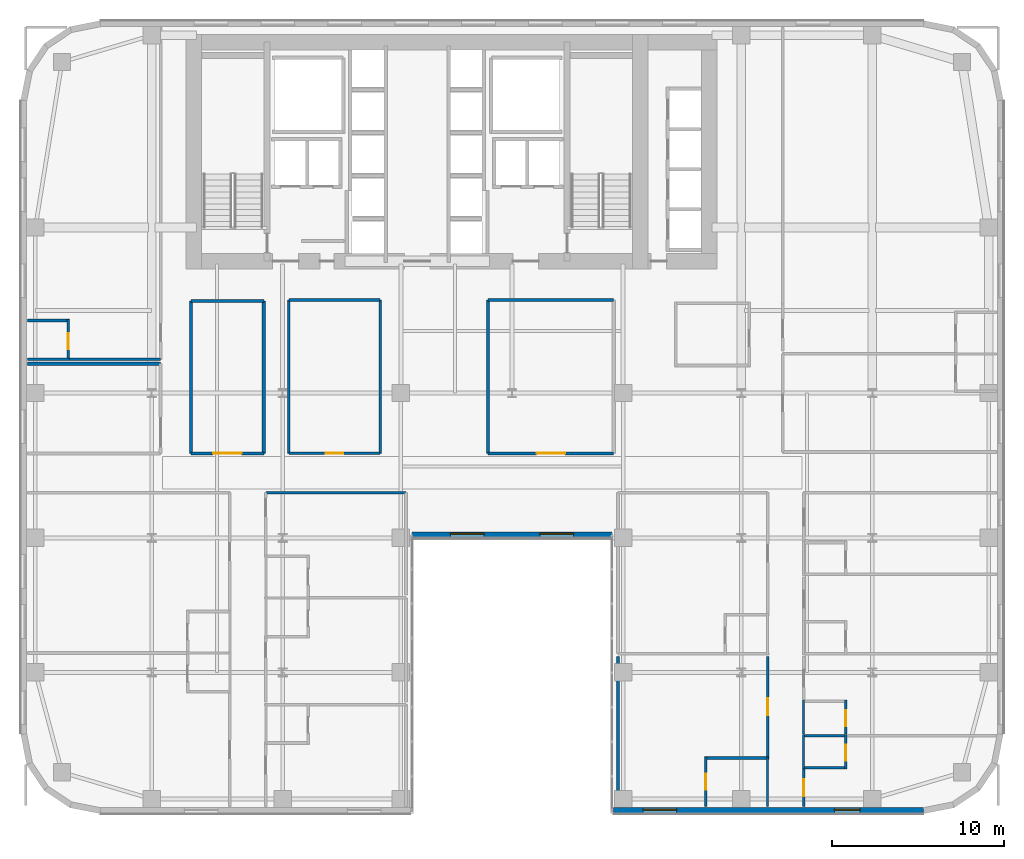
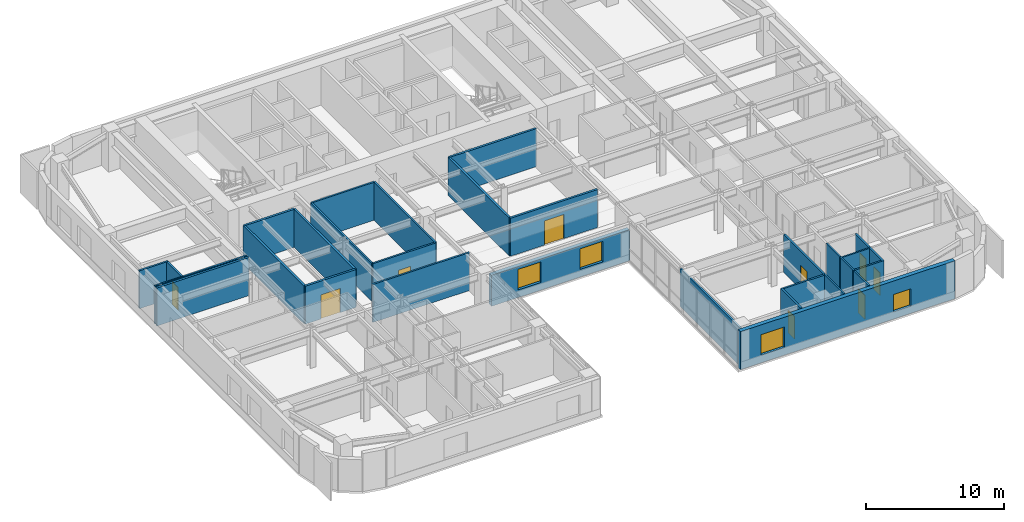
# One storey, part 15 of 24: 31 walls, 9 doors, 4 windows, 13 openings.
"""IFC4 building model written with IfcOpenShell, lengths in metres."""

from ifc_helpers import new_model, si_unit, direction, frame, frame_2d, origin, place, context, subcontext, project, spatial, rectangle, extrude, source, transform, mapped, material, layer, layer_set, type_object, type_shapes, element, fill, save


model = new_model("IFC4")

# Units and contexts
model_context = context("Model", 3, precision=1e-05, world=origin(), true_north=direction((0.0, 1.0)))
body_context = subcontext(model_context, "Body", "Model", "MODEL_VIEW")
ifc_project = project(units=[si_unit("LENGTHUNIT", "METRE"), si_unit("AREAUNIT", "SQUARE_METRE"), si_unit("VOLUMEUNIT", "CUBIC_METRE"), si_unit("PLANEANGLEUNIT", "RADIAN"), si_unit("MASSUNIT", "GRAM", prefix="KILO")], contexts=[model_context])

# Site, building, storey
site_placement = place(None, origin())
site = spatial("IfcSite", under=ifc_project, at=site_placement, CompositionType="ELEMENT")
building_placement = place(site_placement, origin())
building = spatial("IfcBuilding", under=site, at=building_placement, Name="Tolvann Quenvar Hotel", CompositionType="ELEMENT")
storey_placement = place(building_placement, frame((0.0, 0.0, 67.5)))
storey = spatial("IfcBuildingStorey", under=building, at=storey_placement, Name="L16", CompositionType="ELEMENT", Elevation=67.5)

# Wall, openings, windows
ifc_material_1 = material(Name="Kiln-fired red and buff architectural clay brickwork and terracotta masonry", Category="masonry")
ifc_layer_1 = layer(ifc_material_1, 0.35009765625)
ifc_layer_set_1 = layer_set([ifc_layer_1], Name="Kiln-fired red and buff architectural clay brickwork and terracotta masonry")
wall_type_1 = type_object("IfcWallType", Name="WALL_EXT_BRICK_350", PredefinedType="SOLIDWALL", material=ifc_layer_set_1)
wall_1_placement = place(storey_placement, frame((22.7099609375, 16.175048828125, 0.0), z_axis=(0.0, 0.0, 1.0), x_axis=(1.0, 0.0, 0.0)))
wall_1 = element("IfcWall", 1, at=wall_1_placement, inside=storey, type_object=wall_type_1, Name="Exterior Chicago Brick Wall L16-E06", PredefinedType="SOLIDWALL", context=body_context, shape_type="SweptSolid", body=[
    extrude(rectangle(XDim=11.580078125, YDim=0.35009765625, at=frame_2d((5.7900390625, 0.0))), origin(), (0.0, 0.0, 1.0), 2.748046875),
])
opening_1_placement = place(wall_1_placement, frame((2.219970703125, 0.0, 0.679931640625)))
opening_1 = element("IfcOpeningElement", 2, at=opening_1_placement, cuts=wall_1, Name="Opening W-10", PredefinedType="OPENING", context=body_context, shape_type="SweptSolid", body=[
    extrude(rectangle(XDim=1.949951171875, YDim=1.820068359375, at=frame_2d((0.97509765625, 0.91015625))), frame((0.0, 0.18505859375, 0.0), z_axis=(0.0, -1.0, 0.0), x_axis=(1.0, 0.0, 0.0)), (0.0, 0.0, 1.0), 0.3701171875),
])
opening_2_placement = place(wall_1_placement, frame((7.409912109375, 0.0, 0.679931640625)))
opening_2 = element("IfcOpeningElement", 3, at=opening_2_placement, cuts=wall_1, Name="Opening W-10", PredefinedType="OPENING", context=body_context, shape_type="SweptSolid", body=[
    extrude(rectangle(XDim=1.949951171875, YDim=1.820068359375, at=frame_2d((0.97509765625, 0.91015625))), frame((0.0, 0.18505859375, 0.0), z_axis=(0.0, -1.0, 0.0), x_axis=(1.0, 0.0, 0.0)), (0.0, 0.0, 1.0), 0.3701171875),
])
ifc_material_2 = material(Name="Thermally broken bronze-anodised aluminium frame with double low-E glazing", Category="aluminium")
window_type_1 = type_object("IfcWindowType", Name="WIN_CLB_1950x1850", PartitioningType="DOUBLE_PANEL_VERTICAL", PredefinedType="WINDOW", material=ifc_material_2)
shared_shape_1 = source(origin(), body_context, "Body", "SweptSolid", [
    extrude(rectangle(XDim=1.949951171875, YDim=1.820068359375, at=frame_2d((0.97509765625, 0.91015625))), frame((0.0, 0.090087890625, 0.0), z_axis=(0.0, -1.0, 0.0), x_axis=(1.0, 0.0, 0.0)), (0.0, 0.0, 1.0), 0.06005859375),
])
type_shapes(window_type_1, [shared_shape_1])
window_1_placement = place(opening_1_placement, origin())
window_1 = element("IfcWindow", 4, at=window_1_placement, inside=storey, type_object=window_type_1, Name="Chicago Window W-10 (EW-L16-E06-W01)", OverallHeight=1.820068359375, OverallWidth=1.949951171875, PartitioningType="DOUBLE_PANEL_VERTICAL", PredefinedType="WINDOW", context=body_context, shape_type="MappedRepresentation", body=[
    mapped(shared_shape_1, transform((0.0, 0.0, 0.0), x_axis=(1.0, 0.0, 0.0), y_axis=(0.0, 1.0, 0.0), z_axis=(0.0, 0.0, 1.0), scale=1.0)),
])
fill(opening_1, window_1)
window_2_placement = place(opening_2_placement, origin())
window_2 = element("IfcWindow", 5, at=window_2_placement, inside=storey, type_object=window_type_1, Name="Chicago Window W-10 (EW-L16-E06-W02)", OverallHeight=1.820068359375, OverallWidth=1.949951171875, PartitioningType="DOUBLE_PANEL_VERTICAL", PredefinedType="WINDOW", context=body_context, shape_type="MappedRepresentation", body=[
    mapped(shared_shape_1, transform((0.0, 0.0, 0.0), x_axis=(1.0, 0.0, 0.0), y_axis=(0.0, 1.0, 0.0), z_axis=(0.0, 0.0, 1.0), scale=1.0)),
])
fill(opening_2, window_2)

wall_2_placement = place(storey_placement, frame((34.375, 0.175048828125, 0.0), z_axis=(0.0, 0.0, 1.0), x_axis=(1.0, 0.0, 0.0)))
wall_2 = element("IfcWall", 6, at=wall_2_placement, inside=storey, type_object=wall_type_1, Name="Exterior Chicago Brick Wall L16-E08", PredefinedType="SOLIDWALL", context=body_context, shape_type="SweptSolid", body=[
    extrude(rectangle(XDim=18.0078125, YDim=0.35009765625, at=frame_2d((9.00390625, 0.0))), origin(), (0.0, 0.0, 1.0), 3.3701171875),
])
opening_3_placement = place(wall_2_placement, frame((1.72607421875, 0.0, 0.679931640625)))
opening_3 = element("IfcOpeningElement", 7, at=opening_3_placement, cuts=wall_2, Name="Opening W-10", PredefinedType="OPENING", context=body_context, shape_type="SweptSolid", body=[
    extrude(rectangle(XDim=1.949951171875, YDim=1.820068359375, at=frame_2d((0.97509765625, 0.91015625))), frame((0.0, 0.18505859375, 0.0), z_axis=(0.0, -1.0, 0.0), x_axis=(1.0, 0.0, 0.0)), (0.0, 0.0, 1.0), 0.3701171875),
])
opening_4_placement = place(wall_2_placement, frame((12.824951171875, 0.0, 0.6201171875)))
opening_4 = element("IfcOpeningElement", 8, at=opening_4_placement, cuts=wall_2, Name="Opening W-08", PredefinedType="OPENING", context=body_context, shape_type="SweptSolid", body=[
    extrude(rectangle(XDim=1.5, YDim=1.550048828125, at=frame_2d((0.75, 0.77490234375))), frame((0.0, 0.18505859375, 0.0), z_axis=(0.0, -1.0, 0.0), x_axis=(1.0, 0.0, 0.0)), (0.0, 0.0, 1.0), 0.3701171875),
])
window_type_2 = type_object("IfcWindowType", Name="WIN_COR_1500x2050", PartitioningType="SINGLE_PANEL", PredefinedType="WINDOW", material=ifc_material_2)
shared_shape_2 = source(origin(), body_context, "Body", "SweptSolid", [
    extrude(rectangle(XDim=1.5, YDim=1.550048828125, at=frame_2d((0.75, 0.77490234375))), frame((0.0, 0.090087890625, 0.0), z_axis=(0.0, -1.0, 0.0), x_axis=(1.0, 0.0, 0.0)), (0.0, 0.0, 1.0), 0.06005859375),
])
type_shapes(window_type_2, [shared_shape_2])
window_3_placement = place(opening_4_placement, origin())
window_3 = element("IfcWindow", 9, at=window_3_placement, inside=storey, type_object=window_type_2, Name="Chicago Window W-08 (EW-L16-E08-WD02)", OverallHeight=1.550048828125, OverallWidth=1.5, PartitioningType="SINGLE_PANEL", PredefinedType="WINDOW", context=body_context, shape_type="MappedRepresentation", body=[
    mapped(shared_shape_2, transform((0.0, 0.0, 0.0), x_axis=(1.0, 0.0, 0.0), y_axis=(0.0, 1.0, 0.0), z_axis=(0.0, 0.0, 1.0), scale=1.0)),
])
fill(opening_4, window_3)
window_4_placement = place(opening_3_placement, origin())
window_4 = element("IfcWindow", 10, at=window_4_placement, inside=storey, type_object=window_type_1, Name="Chicago Window W-10 (EW-L16-E08-W01)", OverallHeight=1.820068359375, OverallWidth=1.949951171875, PartitioningType="DOUBLE_PANEL_VERTICAL", PredefinedType="WINDOW", context=body_context, shape_type="MappedRepresentation", body=[
    mapped(shared_shape_1, transform((0.0, 0.0, 0.0), x_axis=(1.0, 0.0, 0.0), y_axis=(0.0, 1.0, 0.0), z_axis=(0.0, 0.0, 1.0), scale=1.0)),
])
fill(opening_3, window_4)

# Wall
ifc_material_3 = material(Name="Acoustic twin-stud fire-rated gypsum plasterboard partition")
ifc_layer_2 = layer(ifc_material_3, 0.179931640625)
ifc_layer_set_2 = layer_set([ifc_layer_2], Name="Acoustic twin-stud fire-rated gypsum plasterboard partition")
wall_type_2 = type_object("IfcWallType", Name="WALL_PART_ACOUSTIC_180", PredefinedType="PARTITIONING", material=ifc_layer_set_2)
wall_3_placement = place(storey_placement, frame((0.405029296875, 26.10009765625, 0.0), z_axis=(0.0, 0.0, 1.0), x_axis=(1.0, 0.0, 0.0)))
element("IfcWall", 11, at=wall_3_placement, inside=storey, type_object=wall_type_2, Name="Interior Partition PT-SPC-L16-SAL-N", PredefinedType="PARTITIONING", context=body_context, shape_type="SweptSolid", body=[
    extrude(rectangle(XDim=7.715087890625, YDim=0.179931640625, at=frame_2d((3.857421875, 0.0))), origin(), (0.0, 0.0, 1.0), 3.3701171875),
])

# Wall, opening, door
wall_4_placement = place(storey_placement, frame((9.8798828125, 20.89990234375, 0.0), z_axis=(0.0, 0.0, 1.0), x_axis=(1.0, 0.0, 0.0)))
wall_4 = element("IfcWall", 12, at=wall_4_placement, inside=storey, type_object=wall_type_2, Name="Interior Partition PT-SPC-L16-MSP-W-S", PredefinedType="PARTITIONING", context=body_context, shape_type="SweptSolid", body=[
    extrude(rectangle(XDim=4.22021484375, YDim=0.179931640625, at=frame_2d((2.110107421875, 0.0))), origin(), (0.0, 0.0, 1.0), 3.3701171875),
])
opening_5_placement = place(wall_4_placement, frame((1.284912109375, 0.0, 0.0)))
opening_5 = element("IfcOpeningElement", 13, at=opening_5_placement, cuts=wall_4, Name="Opening AD-01", PredefinedType="OPENING", context=body_context, shape_type="SweptSolid", body=[
    extrude(rectangle(XDim=1.64990234375, YDim=2.14990234375, at=frame_2d((0.824951171875, 1.074951171875))), frame((0.0, 0.10009765625, 0.0), z_axis=(0.0, -1.0, 0.0), x_axis=(1.0, 0.0, 0.0)), (0.0, 0.0, 1.0), 0.199951171875),
])
ifc_material_4 = material(Name="Solid-core American oak acoustic fire door leaf in steel frame", Category="steel")
door_type_1 = type_object("IfcDoorType", Name="DOOR_SALON_1650", OperationType="NOTDEFINED", PredefinedType="DOOR", material=ifc_material_4)
shared_shape_3 = source(origin(), body_context, "Body", "SweptSolid", [
    extrude(rectangle(XDim=1.64990234375, YDim=2.14990234375, at=frame_2d((0.824951171875, 1.074951171875))), frame((0.0, 0.02490234375, 0.0), z_axis=(0.0, -1.0, 0.0), x_axis=(1.0, 0.0, 0.0)), (0.0, 0.0, 1.0), 0.050048828125),
])
type_shapes(door_type_1, [shared_shape_3])
door_1_placement = place(opening_5_placement, origin())
door_1 = element("IfcDoor", 14, at=door_1_placement, inside=storey, type_object=door_type_1, Name="Interior Door DOOR-SPC-L16-MSP-W", OperationType="DOUBLE_DOOR_SINGLE_SWING", OverallHeight=2.14990234375, OverallWidth=1.64990234375, PredefinedType="DOOR", context=body_context, shape_type="MappedRepresentation", body=[
    mapped(shared_shape_3, transform((0.0, 0.0, 0.0), x_axis=(1.0, 0.0, 0.0), y_axis=(0.0, 1.0, 0.0), z_axis=(0.0, 0.0, 1.0), scale=1.0)),
])
fill(opening_5, door_1)

# Walls
wall_5_placement = place(storey_placement, frame((9.8798828125, 29.75, 0.0), z_axis=(0.0, 0.0, 1.0), x_axis=(1.0, 0.0, 0.0)))
element("IfcWall", 15, at=wall_5_placement, inside=storey, type_object=wall_type_2, Name="Interior Partition PT-SPC-L16-MSP-W-N", PredefinedType="PARTITIONING", context=body_context, shape_type="SweptSolid", body=[
    extrude(rectangle(XDim=4.22021484375, YDim=0.179931640625, at=frame_2d((2.110107421875, 0.0))), origin(), (0.0, 0.0, 1.0), 3.3701171875),
])
for number, where, z_axis, x_axis, name in (
    (16, (9.8798828125, 20.89990234375, 0.0), (0.0, 0.0, 1.0), (0.0, 1.0, 0.0), "Interior Partition PT-SPC-L16-MSP-W-W"),
    (17, (14.10009765625, 20.89990234375, 0.0), (0.0, 0.0, 1.0), (0.0, 1.0, 0.0), "Interior Partition PT-SPC-L16-MSP-W-E"),
):
    element("IfcWall", number, at=place(storey_placement, frame(where, z_axis=z_axis, x_axis=x_axis)), inside=storey, type_object=wall_type_2, Name=name, PredefinedType="PARTITIONING", context=body_context, shape_type="SweptSolid", body=[
        extrude(rectangle(XDim=8.85009765625, YDim=0.179931640625, at=frame_2d((4.425048828125, 0.0))), origin(), (0.0, 0.0, 1.0), 3.3701171875),
    ])

# Wall, opening, door
wall_6_placement = place(storey_placement, frame((27.10009765625, 20.89990234375, 0.0), z_axis=(0.0, 0.0, 1.0), x_axis=(1.0, 0.0, 0.0)))
wall_6 = element("IfcWall", 18, at=wall_6_placement, inside=storey, type_object=wall_type_2, Name="Interior Partition PT-SPC-L16-MSP-C-S", PredefinedType="PARTITIONING", context=body_context, shape_type="SweptSolid", body=[
    extrude(rectangle(XDim=7.2998046875, YDim=0.179931640625, at=frame_2d((3.64990234375, 0.0))), origin(), (0.0, 0.0, 1.0), 3.3701171875),
])
opening_6_placement = place(wall_6_placement, frame((2.824951171875, 0.0, 0.0)))
opening_6 = element("IfcOpeningElement", 19, at=opening_6_placement, cuts=wall_6, Name="Opening AD-01", PredefinedType="OPENING", context=body_context, shape_type="SweptSolid", body=[
    extrude(rectangle(XDim=1.64990234375, YDim=2.14990234375, at=frame_2d((0.824951171875, 1.074951171875))), frame((0.0, 0.10009765625, 0.0), z_axis=(0.0, -1.0, 0.0), x_axis=(1.0, 0.0, 0.0)), (0.0, 0.0, 1.0), 0.199951171875),
])
door_2_placement = place(opening_6_placement, origin())
door_2 = element("IfcDoor", 20, at=door_2_placement, inside=storey, type_object=door_type_1, Name="Interior Door DOOR-SPC-L16-MSP-C", OperationType="DOUBLE_DOOR_SINGLE_SWING", OverallHeight=2.14990234375, OverallWidth=1.64990234375, PredefinedType="DOOR", context=body_context, shape_type="MappedRepresentation", body=[
    mapped(shared_shape_3, transform((0.0, 0.0, 0.0), x_axis=(1.0, 0.0, 0.0), y_axis=(0.0, 1.0, 0.0), z_axis=(0.0, 0.0, 1.0), scale=1.0)),
])
fill(opening_6, door_2)

# Walls
wall_7_placement = place(storey_placement, frame((27.10009765625, 29.800048828125, 0.0), z_axis=(0.0, 0.0, 1.0), x_axis=(1.0, 0.0, 0.0)))
element("IfcWall", 21, at=wall_7_placement, inside=storey, type_object=wall_type_2, Name="Interior Partition PT-SPC-L16-MSP-C-N", PredefinedType="PARTITIONING", context=body_context, shape_type="SweptSolid", body=[
    extrude(rectangle(XDim=7.2998046875, YDim=0.179931640625, at=frame_2d((3.64990234375, 0.0))), origin(), (0.0, 0.0, 1.0), 3.3701171875),
])
wall_8_placement = place(storey_placement, frame((27.10009765625, 20.89990234375, 0.0), z_axis=(0.0, 0.0, 1.0), x_axis=(0.0, 1.0, 0.0)))
element("IfcWall", 22, at=wall_8_placement, inside=storey, type_object=wall_type_2, Name="Interior Partition PT-SPC-L16-MSP-C-W", PredefinedType="PARTITIONING", context=body_context, shape_type="SweptSolid", body=[
    extrude(rectangle(XDim=8.900146484375, YDim=0.179931640625, at=frame_2d((4.4501953125, 0.0))), origin(), (0.0, 0.0, 1.0), 3.3701171875),
])
ifc_material_5 = material(Name="Moisture-resistant acoustic plumbing wall assembly")
ifc_layer_3 = layer(ifc_material_5, 0.1201171875)
ifc_layer_set_3 = layer_set([ifc_layer_3], Name="Moisture-resistant acoustic plumbing wall assembly")
wall_type_3 = type_object("IfcWallType", Name="WALL_PART_BATH_120", PredefinedType="PLUMBINGWALL", material=ifc_layer_set_3)
wall_9_placement = place(storey_placement, frame((43.330078125, 0.405029296875, 0.0), z_axis=(0.0, 0.0, 1.0), x_axis=(0.0, 1.0, 0.0)))
element("IfcWall", 23, at=wall_9_placement, inside=storey, type_object=wall_type_3, Name="Non-Rated Plumbing Partition PT-SPC-L16-ENS-EI01-E", PredefinedType="PLUMBINGWALL", context=body_context, shape_type="SweptSolid", body=[
    extrude(rectangle(XDim=2.89501953125, YDim=0.1201171875, at=frame_2d((1.447509765625, 0.0))), origin(), (0.0, 0.0, 1.0), 3.3701171875),
])
wall_10_placement = place(storey_placement, frame((45.35009765625, 4.52001953125, 0.0), z_axis=(0.0, 0.0, 1.0), x_axis=(1.0, 0.0, 0.0)))
element("IfcWall", 24, at=wall_10_placement, inside=storey, type_object=wall_type_3, Name="Non-Rated Plumbing Partition PT-SPC-L16-ENS-EO01-N", PredefinedType="PLUMBINGWALL", context=body_context, shape_type="SweptSolid", body=[
    extrude(rectangle(XDim=2.58984375, YDim=0.1201171875, at=frame_2d((1.294921875, 0.0))), origin(), (0.0, 0.0, 1.0), 3.3701171875),
])
for number, where, z_axis, x_axis, name in (
    (25, (45.419921875, 2.60009765625, 0.0), (0.0, 0.0, 1.0), (0.0, 1.0, 0.0), "Non-Rated Plumbing Partition PT-SPC-L16-ENS-EO01-W"),
    (26, (45.419921875, 4.610107421875, 0.0), (0.0, 0.0, 1.0), (0.0, 1.0, 0.0), "Non-Rated Plumbing Partition PT-SPC-L16-ENS-EO02-W"),
):
    element("IfcWall", number, at=place(storey_placement, frame(where, z_axis=z_axis, x_axis=x_axis)), inside=storey, type_object=wall_type_3, Name=name, PredefinedType="PLUMBINGWALL", context=body_context, shape_type="SweptSolid", body=[
        extrude(rectangle(XDim=1.989990234375, YDim=0.1201171875, at=frame_2d((0.9951171875, 0.0))), origin(), (0.0, 0.0, 1.0), 3.3701171875),
    ])
wall_11_placement = place(storey_placement, frame((0.405029296875, 26.360107421875, 0.0), z_axis=(0.0, 0.0, 1.0), x_axis=(1.0, 0.0, 0.0)))
element("IfcWall", 27, at=wall_11_placement, inside=storey, type_object=wall_type_3, Name="Non-Rated Plumbing Partition PT-SPC-L16-ENS-NW01-S", PredefinedType="PLUMBINGWALL", context=body_context, shape_type="SweptSolid", body=[
    extrude(rectangle(XDim=2.4150390625, YDim=0.1201171875, at=frame_2d((1.20751953125, 0.0))), origin(), (0.0, 0.0, 1.0), 3.3701171875),
])

# Wall, opening, door
ifc_layer_4 = layer(ifc_material_3, 0.14990234375)
ifc_layer_set_4 = layer_set([ifc_layer_4], Name="Acoustic twin-stud fire-rated gypsum plasterboard partition")
wall_type_4 = type_object("IfcWallType", Name="WALL_PART_SUITE_150", PredefinedType="PARTITIONING", material=ifc_layer_set_4)
wall_12_placement = place(storey_placement, frame((39.72998046875, 0.405029296875, 0.0), z_axis=(0.0, 0.0, 1.0), x_axis=(0.0, 1.0, 0.0)))
wall_12 = element("IfcWall", 28, at=wall_12_placement, inside=storey, type_object=wall_type_4, Name="Interior Partition PT-SPC-L16-ENS-EI01-ENT", PredefinedType="PARTITIONING", context=body_context, shape_type="SweptSolid", body=[
    extrude(rectangle(XDim=2.89501953125, YDim=0.14990234375, at=frame_2d((1.447509765625, 0.0))), origin(), (0.0, 0.0, 1.0), 3.3701171875),
])
opening_7_placement = place(wall_12_placement, frame((0.97998046875, 0.0, 0.0)))
opening_7 = element("IfcOpeningElement", 29, at=opening_7_placement, cuts=wall_12, Name="Opening WD-01", PredefinedType="OPENING", context=body_context, shape_type="SweptSolid", body=[
    extrude(rectangle(XDim=0.919921875, YDim=2.010009765625, at=frame_2d((0.4599609375, 1.0048828125))), frame((0.0, 0.0849609375, 0.0), z_axis=(0.0, -1.0, 0.0), x_axis=(1.0, 0.0, 0.0)), (0.0, 0.0, 1.0), 0.169921875),
])
door_type_2 = type_object("IfcDoorType", Name="DOOR_WC_920", OperationType="NOTDEFINED", PredefinedType="DOOR", material=ifc_material_4)
shared_shape_4 = source(origin(), body_context, "Body", "SweptSolid", [
    extrude(rectangle(XDim=0.919921875, YDim=2.010009765625, at=frame_2d((0.4599609375, 1.0048828125))), frame((0.0, 0.02490234375, 0.0), z_axis=(0.0, -1.0, 0.0), x_axis=(1.0, 0.0, 0.0)), (0.0, 0.0, 1.0), 0.050048828125),
])
type_shapes(door_type_2, [shared_shape_4])
door_3_placement = place(opening_7_placement, origin())
door_3 = element("IfcDoor", 30, at=door_3_placement, inside=storey, type_object=door_type_2, Name="Interior Door DOOR-SPC-L16-ENS-EI01", OperationType="SINGLE_SWING_LEFT", OverallHeight=2.010009765625, OverallWidth=0.919921875, PredefinedType="DOOR", context=body_context, shape_type="MappedRepresentation", body=[
    mapped(shared_shape_4, transform((0.0, 0.0, 0.0), x_axis=(1.0, 0.0, 0.0), y_axis=(0.0, 1.0, 0.0), z_axis=(0.0, 0.0, 1.0), scale=1.0)),
])
fill(opening_7, door_3)

# Wall
wall_13_placement = place(storey_placement, frame((39.659912109375, 3.22998046875, 0.0), z_axis=(0.0, 0.0, 1.0), x_axis=(1.0, 0.0, 0.0)))
element("IfcWall", 31, at=wall_13_placement, inside=storey, type_object=wall_type_4, Name="Interior Partition PT-SPC-L16-ENS-EI01-N", PredefinedType="PARTITIONING", context=body_context, shape_type="SweptSolid", body=[
    extrude(rectangle(XDim=3.739990234375, YDim=0.14990234375, at=frame_2d((1.8701171875, 0.0))), origin(), (0.0, 0.0, 1.0), 3.3701171875),
])

# Wall, opening, door
wall_14_placement = place(storey_placement, frame((47.8701171875, 2.60009765625, 0.0), z_axis=(0.0, 0.0, 1.0), x_axis=(0.0, 1.0, 0.0)))
wall_14 = element("IfcWall", 32, at=wall_14_placement, inside=storey, type_object=wall_type_4, Name="Interior Partition PT-SPC-L16-ENS-EO01-ENT", PredefinedType="PARTITIONING", context=body_context, shape_type="SweptSolid", body=[
    extrude(rectangle(XDim=1.989990234375, YDim=0.14990234375, at=frame_2d((0.9951171875, 0.0))), origin(), (0.0, 0.0, 1.0), 3.3701171875),
])
opening_8_placement = place(wall_14_placement, frame((0.465087890625, 0.0, 0.0)))
opening_8 = element("IfcOpeningElement", 33, at=opening_8_placement, cuts=wall_14, Name="Opening WD-01", PredefinedType="OPENING", context=body_context, shape_type="SweptSolid", body=[
    extrude(rectangle(XDim=0.919921875, YDim=2.010009765625, at=frame_2d((0.4599609375, 1.0048828125))), frame((0.0, 0.0849609375, 0.0), z_axis=(0.0, -1.0, 0.0), x_axis=(1.0, 0.0, 0.0)), (0.0, 0.0, 1.0), 0.169921875),
])
door_4_placement = place(opening_8_placement, origin())
door_4 = element("IfcDoor", 34, at=door_4_placement, inside=storey, type_object=door_type_2, Name="Interior Door DOOR-SPC-L16-ENS-EO01", OperationType="SINGLE_SWING_LEFT", OverallHeight=2.010009765625, OverallWidth=0.919921875, PredefinedType="DOOR", context=body_context, shape_type="MappedRepresentation", body=[
    mapped(shared_shape_4, transform((0.0, 0.0, 0.0), x_axis=(1.0, 0.0, 0.0), y_axis=(0.0, 1.0, 0.0), z_axis=(0.0, 0.0, 1.0), scale=1.0)),
])
fill(opening_8, door_4)

# Wall
wall_15_placement = place(storey_placement, frame((45.35009765625, 2.669921875, 0.0), z_axis=(0.0, 0.0, 1.0), x_axis=(1.0, 0.0, 0.0)))
element("IfcWall", 35, at=wall_15_placement, inside=storey, type_object=wall_type_4, Name="Interior Partition PT-SPC-L16-ENS-EO01-S", PredefinedType="PARTITIONING", context=body_context, shape_type="SweptSolid", body=[
    extrude(rectangle(XDim=2.58984375, YDim=0.14990234375, at=frame_2d((1.294921875, 0.0))), origin(), (0.0, 0.0, 1.0), 3.3701171875),
])

# Wall, opening, door
wall_16_placement = place(storey_placement, frame((47.8701171875, 4.610107421875, 0.0), z_axis=(0.0, 0.0, 1.0), x_axis=(0.0, 1.0, 0.0)))
wall_16 = element("IfcWall", 36, at=wall_16_placement, inside=storey, type_object=wall_type_4, Name="Interior Partition PT-SPC-L16-ENS-EO02-ENT", PredefinedType="PARTITIONING", context=body_context, shape_type="SweptSolid", body=[
    extrude(rectangle(XDim=1.989990234375, YDim=0.14990234375, at=frame_2d((0.9951171875, 0.0))), origin(), (0.0, 0.0, 1.0), 3.3701171875),
])
opening_9_placement = place(wall_16_placement, frame((0.465087890625, 0.0, 0.0)))
opening_9 = element("IfcOpeningElement", 37, at=opening_9_placement, cuts=wall_16, Name="Opening WD-01", PredefinedType="OPENING", context=body_context, shape_type="SweptSolid", body=[
    extrude(rectangle(XDim=0.919921875, YDim=2.010009765625, at=frame_2d((0.4599609375, 1.0048828125))), frame((0.0, 0.0849609375, 0.0), z_axis=(0.0, -1.0, 0.0), x_axis=(1.0, 0.0, 0.0)), (0.0, 0.0, 1.0), 0.169921875),
])
door_5_placement = place(opening_9_placement, origin())
door_5 = element("IfcDoor", 38, at=door_5_placement, inside=storey, type_object=door_type_2, Name="Interior Door DOOR-SPC-L16-ENS-EO02", OperationType="SINGLE_SWING_RIGHT", OverallHeight=2.010009765625, OverallWidth=0.919921875, PredefinedType="DOOR", context=body_context, shape_type="MappedRepresentation", body=[
    mapped(shared_shape_4, transform((0.0, 0.0, 0.0), x_axis=(1.0, 0.0, 0.0), y_axis=(0.0, 1.0, 0.0), z_axis=(0.0, 0.0, 1.0), scale=1.0)),
])
fill(opening_9, door_5)

wall_17_placement = place(storey_placement, frame((2.75, 26.2900390625, 0.0), z_axis=(0.0, 0.0, 1.0), x_axis=(0.0, 1.0, 0.0)))
wall_17 = element("IfcWall", 39, at=wall_17_placement, inside=storey, type_object=wall_type_4, Name="Interior Partition PT-SPC-L16-ENS-NW01-ENT", PredefinedType="PARTITIONING", context=body_context, shape_type="SweptSolid", body=[
    extrude(rectangle(XDim=2.389892578125, YDim=0.14990234375, at=frame_2d((1.19482421875, 0.0))), origin(), (0.0, 0.0, 1.0), 3.3701171875),
])
opening_10_placement = place(wall_17_placement, frame((0.6650390625, 0.0, 0.0)))
opening_10 = element("IfcOpeningElement", 40, at=opening_10_placement, cuts=wall_17, Name="Opening WD-01", PredefinedType="OPENING", context=body_context, shape_type="SweptSolid", body=[
    extrude(rectangle(XDim=0.919921875, YDim=2.010009765625, at=frame_2d((0.4599609375, 1.0048828125))), frame((0.0, 0.0849609375, 0.0), z_axis=(0.0, -1.0, 0.0), x_axis=(1.0, 0.0, 0.0)), (0.0, 0.0, 1.0), 0.169921875),
])
door_6_placement = place(opening_10_placement, origin())
door_6 = element("IfcDoor", 41, at=door_6_placement, inside=storey, type_object=door_type_2, Name="Interior Door DOOR-SPC-L16-ENS-NW01", OperationType="SINGLE_SWING_LEFT", OverallHeight=2.010009765625, OverallWidth=0.919921875, PredefinedType="DOOR", context=body_context, shape_type="MappedRepresentation", body=[
    mapped(shared_shape_4, transform((0.0, 0.0, 0.0), x_axis=(1.0, 0.0, 0.0), y_axis=(0.0, 1.0, 0.0), z_axis=(0.0, 0.0, 1.0), scale=1.0)),
])
fill(opening_10, door_6)

# Walls
wall_18_placement = place(storey_placement, frame((0.405029296875, 28.610107421875, 0.0), z_axis=(0.0, 0.0, 1.0), x_axis=(1.0, 0.0, 0.0)))
element("IfcWall", 42, at=wall_18_placement, inside=storey, type_object=wall_type_4, Name="Interior Partition PT-SPC-L16-ENS-NW01-N", PredefinedType="PARTITIONING", context=body_context, shape_type="SweptSolid", body=[
    extrude(rectangle(XDim=2.4150390625, YDim=0.14990234375, at=frame_2d((1.20751953125, 0.0))), origin(), (0.0, 0.0, 1.0), 3.3701171875),
])
wall_19_placement = place(storey_placement, frame((14.219970703125, 18.6201171875, 0.0), z_axis=(0.0, 0.0, 1.0), x_axis=(1.0, 0.0, 0.0)))
element("IfcWall", 43, at=wall_19_placement, inside=storey, type_object=wall_type_4, Name="Interior Partition PT-SPC-L16-RM-WI03-E5", PredefinedType="PARTITIONING", context=body_context, shape_type="SweptSolid", body=[
    extrude(rectangle(XDim=8.130126953125, YDim=0.14990234375, at=frame_2d((4.06494140625, 0.0))), origin(), (0.0, 0.0, 1.0), 3.3701171875),
])

# Wall, opening, door
wall_20_placement = place(storey_placement, frame((43.330078125, 3.31005859375, 0.0), z_axis=(0.0, 0.0, 1.0), x_axis=(0.0, 1.0, 0.0)))
wall_20 = element("IfcWall", 44, at=wall_20_placement, inside=storey, type_object=wall_type_4, Name="Interior Partition PT-SPC-L16-RM-EI01-ENT", PredefinedType="PARTITIONING", context=body_context, shape_type="SweptSolid", body=[
    extrude(rectangle(XDim=5.81005859375, YDim=0.14990234375, at=frame_2d((2.905029296875, 0.0))), origin(), (0.0, 0.0, 1.0), 3.3701171875),
])
opening_11_placement = place(wall_20_placement, frame((2.39501953125, 0.0, 0.0)))
opening_11 = element("IfcOpeningElement", 45, at=opening_11_placement, cuts=wall_20, Name="Opening SD-01", PredefinedType="OPENING", context=body_context, shape_type="SweptSolid", body=[
    extrude(rectangle(XDim=0.97998046875, YDim=2.1201171875, at=frame_2d((0.489990234375, 1.06005859375))), frame((0.0, 0.0849609375, 0.0), z_axis=(0.0, -1.0, 0.0), x_axis=(1.0, 0.0, 0.0)), (0.0, 0.0, 1.0), 0.169921875),
])
door_type_3 = type_object("IfcDoorType", Name="DOOR_SUITE_980", OperationType="NOTDEFINED", PredefinedType="DOOR", material=ifc_material_4)
shared_shape_5 = source(origin(), body_context, "Body", "SweptSolid", [
    extrude(rectangle(XDim=0.97998046875, YDim=2.1201171875, at=frame_2d((0.489990234375, 1.06005859375))), frame((0.0, 0.02490234375, 0.0), z_axis=(0.0, -1.0, 0.0), x_axis=(1.0, 0.0, 0.0)), (0.0, 0.0, 1.0), 0.050048828125),
])
type_shapes(door_type_3, [shared_shape_5])
door_7_placement = place(opening_11_placement, origin())
door_7 = element("IfcDoor", 46, at=door_7_placement, inside=storey, type_object=door_type_3, Name="Interior Door DOOR-SPC-L16-RM-EI01", OperationType="SINGLE_SWING_LEFT", OverallHeight=2.1201171875, OverallWidth=0.97998046875, PredefinedType="DOOR", context=body_context, shape_type="MappedRepresentation", body=[
    mapped(shared_shape_5, transform((0.0, 0.0, 0.0), x_axis=(1.0, 0.0, 0.0), y_axis=(0.0, 1.0, 0.0), z_axis=(0.0, 0.0, 1.0), scale=1.0)),
])
fill(opening_11, door_7)

# Wall
wall_21_placement = place(storey_placement, frame((34.64990234375, 0.405029296875, 0.0), z_axis=(0.0, 0.0, 1.0), x_axis=(0.0, 1.0, 0.0)))
element("IfcWall", 47, at=wall_21_placement, inside=storey, type_object=wall_type_4, Name="Interior Partition PT-SPC-L16-RM-EI01-E6", PredefinedType="PARTITIONING", context=body_context, shape_type="SweptSolid", body=[
    extrude(rectangle(XDim=8.715087890625, YDim=0.14990234375, at=frame_2d((4.357421875, 0.0))), origin(), (0.0, 0.0, 1.0), 3.3701171875),
])

# Wall, opening, door
wall_22_placement = place(storey_placement, frame((45.419921875, 0.405029296875, 0.0), z_axis=(0.0, 0.0, 1.0), x_axis=(0.0, 1.0, 0.0)))
wall_22 = element("IfcWall", 48, at=wall_22_placement, inside=storey, type_object=wall_type_4, Name="Interior Partition PT-SPC-L16-RM-EO01-ENT", PredefinedType="PARTITIONING", context=body_context, shape_type="SweptSolid", body=[
    extrude(rectangle(XDim=2.18505859375, YDim=0.14990234375, at=frame_2d((1.092529296875, 0.0))), origin(), (0.0, 0.0, 1.0), 3.3701171875),
])
opening_12_placement = place(wall_22_placement, frame((0.610107421875, 0.0, 0.0)))
opening_12 = element("IfcOpeningElement", 49, at=opening_12_placement, cuts=wall_22, Name="Opening SD-01", PredefinedType="OPENING", context=body_context, shape_type="SweptSolid", body=[
    extrude(rectangle(XDim=0.97998046875, YDim=2.1201171875, at=frame_2d((0.489990234375, 1.06005859375))), frame((0.0, 0.0849609375, 0.0), z_axis=(0.0, -1.0, 0.0), x_axis=(1.0, 0.0, 0.0)), (0.0, 0.0, 1.0), 0.169921875),
])
door_8_placement = place(opening_12_placement, origin())
door_8 = element("IfcDoor", 50, at=door_8_placement, inside=storey, type_object=door_type_3, Name="Interior Door DOOR-SPC-L16-RM-EO01", OperationType="SINGLE_SWING_LEFT", OverallHeight=2.1201171875, OverallWidth=0.97998046875, PredefinedType="DOOR", context=body_context, shape_type="MappedRepresentation", body=[
    mapped(shared_shape_5, transform((0.0, 0.0, 0.0), x_axis=(1.0, 0.0, 0.0), y_axis=(0.0, 1.0, 0.0), z_axis=(0.0, 0.0, 1.0), scale=1.0)),
])
fill(opening_12, door_8)

# Wall
wall_23_placement = place(storey_placement, frame((2.77001953125, 26.360107421875, 0.0), z_axis=(0.0, 0.0, 1.0), x_axis=(1.0, 0.0, 0.0)))
element("IfcWall", 51, at=wall_23_placement, inside=storey, type_object=wall_type_4, Name="Interior Partition PT-SPC-L16-RM-NW01-E3", PredefinedType="PARTITIONING", context=body_context, shape_type="SweptSolid", body=[
    extrude(rectangle(XDim=5.35009765625, YDim=0.14990234375, at=frame_2d((2.675048828125, 0.0))), origin(), (0.0, 0.0, 1.0), 3.3701171875),
])

# Wall, opening, door
wall_24_placement = place(storey_placement, frame((15.550048828125, 20.89990234375, 0.0), z_axis=(0.0, 0.0, 1.0), x_axis=(1.0, 0.0, 0.0)))
wall_24 = element("IfcWall", 52, at=wall_24_placement, inside=storey, type_object=wall_type_4, Name="Interior Partition PT-SPC-L16-MSP-N-S", PredefinedType="PARTITIONING", context=body_context, shape_type="SweptSolid", body=[
    extrude(rectangle(XDim=5.300048828125, YDim=0.14990234375, at=frame_2d((2.64990234375, 0.0))), origin(), (0.0, 0.0, 1.0), 3.3701171875),
])
opening_13_placement = place(wall_24_placement, frame((2.139892578125, 0.0, 0.0)))
opening_13 = element("IfcOpeningElement", 53, at=opening_13_placement, cuts=wall_24, Name="Opening HD-01", PredefinedType="OPENING", context=body_context, shape_type="SweptSolid", body=[
    extrude(rectangle(XDim=1.02001953125, YDim=2.030029296875, at=frame_2d((0.510009765625, 1.01513671875))), frame((0.0, 0.0849609375, 0.0), z_axis=(0.0, -1.0, 0.0), x_axis=(1.0, 0.0, 0.0)), (0.0, 0.0, 1.0), 0.169921875),
])
ifc_material_6 = material(Name="Pressed galvanised steel fire-rated door set", Category="steel")
door_type_4 = type_object("IfcDoorType", Name="DOOR_BOH_1020", OperationType="NOTDEFINED", PredefinedType="DOOR", material=ifc_material_6)
shared_shape_6 = source(origin(), body_context, "Body", "SweptSolid", [
    extrude(rectangle(XDim=1.02001953125, YDim=2.030029296875, at=frame_2d((0.510009765625, 1.01513671875))), frame((0.0, 0.02490234375, 0.0), z_axis=(0.0, -1.0, 0.0), x_axis=(1.0, 0.0, 0.0)), (0.0, 0.0, 1.0), 0.050048828125),
])
type_shapes(door_type_4, [shared_shape_6])
door_9_placement = place(opening_13_placement, origin())
door_9 = element("IfcDoor", 54, at=door_9_placement, inside=storey, type_object=door_type_4, Name="Interior Door DOOR-SPC-L16-MSP-N", OperationType="SINGLE_SWING_LEFT", OverallHeight=2.030029296875, OverallWidth=1.02001953125, PredefinedType="DOOR", context=body_context, shape_type="MappedRepresentation", body=[
    mapped(shared_shape_6, transform((0.0, 0.0, 0.0), x_axis=(1.0, 0.0, 0.0), y_axis=(0.0, 1.0, 0.0), z_axis=(0.0, 0.0, 1.0), scale=1.0)),
])
fill(opening_13, door_9)

# Walls
wall_25_placement = place(storey_placement, frame((15.550048828125, 29.800048828125, 0.0), z_axis=(0.0, 0.0, 1.0), x_axis=(1.0, 0.0, 0.0)))
element("IfcWall", 55, at=wall_25_placement, inside=storey, type_object=wall_type_4, Name="Interior Partition PT-SPC-L16-MSP-N-N", PredefinedType="PARTITIONING", context=body_context, shape_type="SweptSolid", body=[
    extrude(rectangle(XDim=5.300048828125, YDim=0.14990234375, at=frame_2d((2.64990234375, 0.0))), origin(), (0.0, 0.0, 1.0), 3.3701171875),
])
for number, where, z_axis, x_axis, name in (
    (56, (15.550048828125, 20.89990234375, 0.0), (0.0, 0.0, 1.0), (0.0, 1.0, 0.0), "Interior Partition PT-SPC-L16-MSP-N-W"),
    (57, (20.85009765625, 20.89990234375, 0.0), (0.0, 0.0, 1.0), (0.0, 1.0, 0.0), "Interior Partition PT-SPC-L16-MSP-N-E"),
):
    element("IfcWall", number, at=place(storey_placement, frame(where, z_axis=z_axis, x_axis=x_axis)), inside=storey, type_object=wall_type_4, Name=name, PredefinedType="PARTITIONING", context=body_context, shape_type="SweptSolid", body=[
        extrude(rectangle(XDim=8.900146484375, YDim=0.14990234375, at=frame_2d((4.4501953125, 0.0))), origin(), (0.0, 0.0, 1.0), 3.3701171875),
    ])

save(model, "model.ifc")
